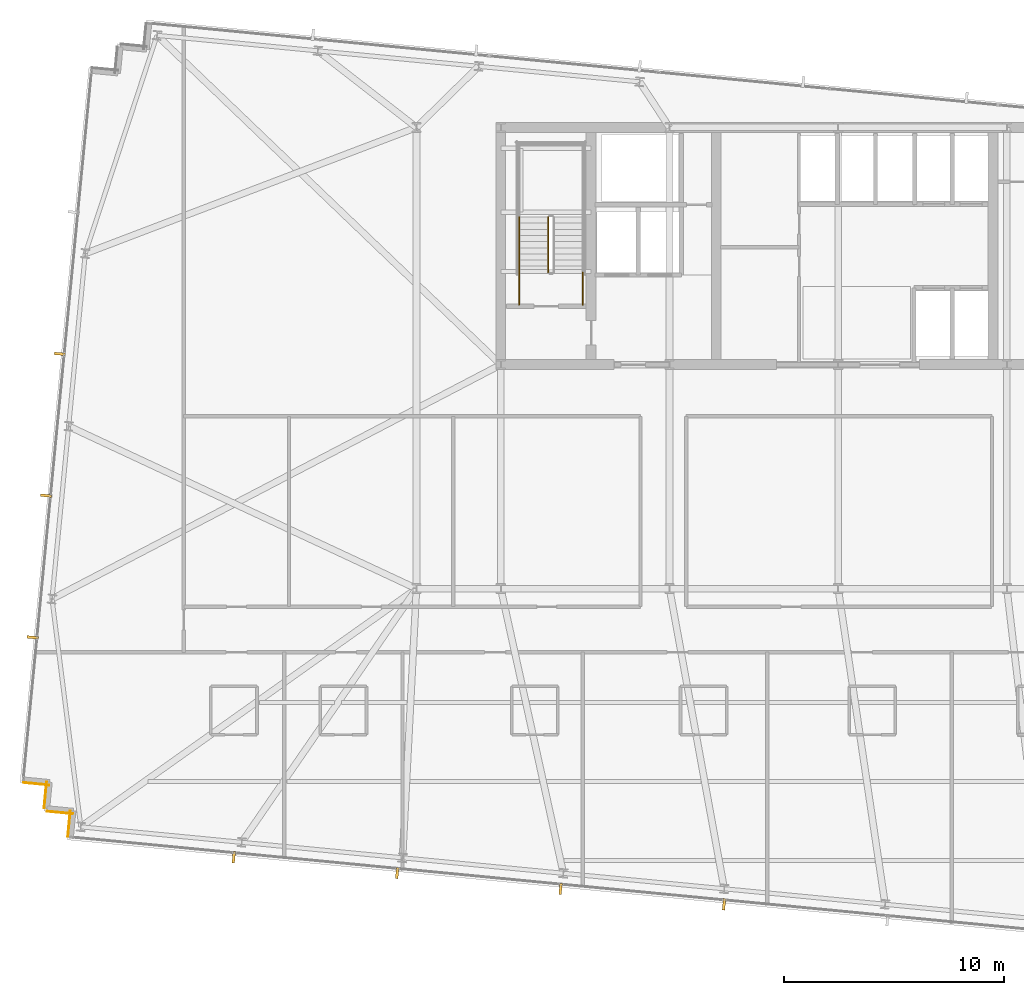
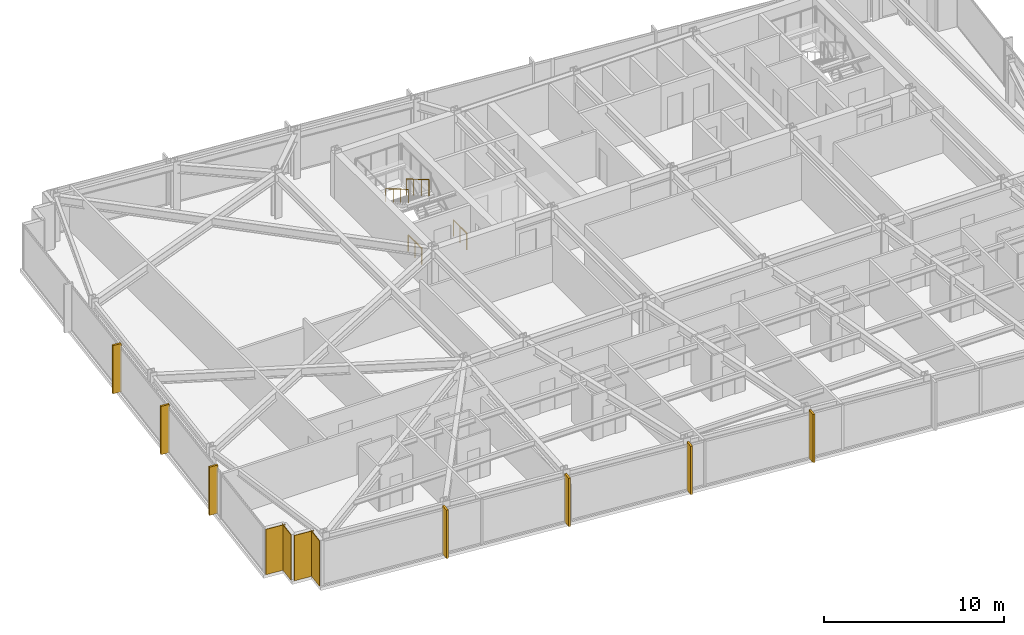
# One storey, part 32 of 37: 7 shading devices, 4 coverings, 4 railings.
"""IFC4 building model written with IfcOpenShell, lengths in metres."""

from ifc_helpers import new_model, si_unit, direction, frame, frame_2d, origin, origin_2d, place, context, subcontext, project, spatial, rectangle, circle, extrude, material, layer, layer_set, type_object, element, save


model = new_model("IFC4")

# Units and contexts
model_context = context("Model", 3, precision=1e-05, world=origin(), true_north=direction((0.0, 1.0)))
body_context = subcontext(model_context, "Body", "Model", "MODEL_VIEW")
ifc_project = project(units=[si_unit("LENGTHUNIT", "METRE"), si_unit("AREAUNIT", "SQUARE_METRE"), si_unit("VOLUMEUNIT", "CUBIC_METRE"), si_unit("PLANEANGLEUNIT", "RADIAN"), si_unit("MASSUNIT", "GRAM", prefix="KILO")], contexts=[model_context])

# Site, building, storey
site_placement = place(None, origin())
site = spatial("IfcSite", under=ifc_project, at=site_placement, CompositionType="ELEMENT")
building_placement = place(site_placement, origin())
building = spatial("IfcBuilding", under=site, at=building_placement, Name="Yelkora Congress Tower", CompositionType="ELEMENT")
storey_placement = place(building_placement, frame((0.0, 0.0, 165.5)))
storey = spatial("IfcBuildingStorey", under=building, at=storey_placement, Name="L45", CompositionType="ELEMENT", Elevation=165.5)

# Coverings
ifc_material_1 = material(Name="Anatolian bush-hammered limestone", Category="masonry")
ifc_layer_1 = layer(ifc_material_1, 0.0400390625)
ifc_layer_set_1 = layer_set([ifc_layer_1], Name="Anatolian bush-hammered limestone")
covering_type = type_object("IfcCoveringType", Name="COV-CLAD-SPANDREL-40", PredefinedType="CLADDING", material=ifc_layer_set_1)
covering_1_placement = place(storey_placement, frame((3.327880859375, 13.90185546875, 0.0), z_axis=(0.0, 0.0, 1.0), x_axis=(0.095817067274, 0.995398960025, 0.0)))
element("IfcCovering", 1, at=covering_1_placement, inside=storey, type_object=covering_type, Name="L45 Anatolian Limestone Cladding EW-L45-SR01", PredefinedType="CLADDING", context=body_context, shape_type="SweptSolid", body=[
    extrude(rectangle(XDim=1.2001953125, YDim=0.0400390625, at=frame_2d((0.60009765625, 0.0))), origin(), (0.0, 0.0, 1.0), 3.080078125),
])
covering_2_placement = place(storey_placement, frame((3.564208984375, 14.94921875, 0.0), z_axis=(0.0, 0.0, 1.0), x_axis=(-0.995397091755, 0.095836473879, 0.0)))
element("IfcCovering", 2, at=covering_2_placement, inside=storey, type_object=covering_type, Name="L45 Anatolian Limestone Cladding EW-L45-SR02", PredefinedType="CLADDING", context=body_context, shape_type="SweptSolid", body=[
    extrude(rectangle(XDim=1.199951171875, YDim=0.0400390625, at=frame_2d((0.60009765625, 0.0))), origin(), (0.0, 0.0, 1.0), 3.080078125),
])
for number, where, z_axis, x_axis, name in (
    (3, (2.248291015625, 15.21142578125, 0.0), (0.0, 0.0, 1.0), (0.095817067274, 0.995398960025, 0.0), "L45 Anatolian Limestone Cladding EW-L45-SR03"),
    (4, (2.48486328125, 16.258544921875, 0.0), (0.0, 0.0, 1.0), (-0.995398960025, 0.095817067274, 0.0), "L45 Anatolian Limestone Cladding EW-L45-SR04"),
):
    element("IfcCovering", number, at=place(storey_placement, frame(where, z_axis=z_axis, x_axis=x_axis)), inside=storey, type_object=covering_type, Name=name, PredefinedType="CLADDING", context=body_context, shape_type="SweptSolid", body=[
        extrude(rectangle(XDim=1.2001953125, YDim=0.0400390625, at=frame_2d((0.60009765625, 0.0))), origin(), (0.0, 0.0, 1.0), 3.080078125),
    ])

# Railings
ifc_material_2 = material(Name="Painted galvanised steel stair well guard with vertical infill", Category="steel")
ifc_layer_2 = layer(ifc_material_2, 0.06005859375)
ifc_layer_set_2 = layer_set([ifc_layer_2], Name="Painted galvanised steel stair well guard with vertical infill")
railing_type_1 = type_object("IfcRailingType", Name="RAIL-STAIR-GUARD-1120", PredefinedType="GUARDRAIL", material=ifc_layer_set_2)
railing_1_placement = place(storey_placement, frame((25.18994140625, 42.1201171875, 1.81494140625)))
element("IfcRailing", 5, at=railing_1_placement, inside=storey, type_object=railing_type_1, Name="ST-01 L45 Stair Well Guardrail 6", PredefinedType="GUARDRAIL", context=body_context, shape_type="SweptSolid", body=[
    extrude(circle(Radius=0.02392578125, at=origin_2d()), frame((0.0, 0.0, 1.09619140625), z_axis=(0.0, -0.86152411907, 0.507716645641), x_axis=(1.0, 0.0, 0.0)), (0.0, 0.0, 1.0), 2.925048828125),
    extrude(circle(Radius=0.02099609375, at=origin_2d()), origin(), (0.0, 0.0, 1.0), 1.072021484375),
    extrude(circle(Radius=0.02099609375, at=origin_2d()), frame((0.0, -0.840087890625, 0.4951171875)), (0.0, 0.0, 1.0), 1.072021484375),
    extrude(circle(Radius=0.02099609375, at=origin_2d()), frame((0.0, -1.679931640625, 0.989990234375)), (0.0, 0.0, 1.0), 1.072021484375),
    extrude(circle(Radius=0.02099609375, at=origin_2d()), frame((0.0, -2.52001953125, 1.485107421875)), (0.0, 0.0, 1.0), 1.072021484375),
])
for number, where, name in (
    (6, (26.77001953125, 38.1201171875, 0.0), "ST-01 L45 Stair Well Guardrail 8"),
    (7, (23.8701171875, 38.1201171875, 0.0), "ST-01 L45 Stair Well Guardrail 9"),
):
    element("IfcRailing", number, at=place(storey_placement, frame(where)), inside=storey, type_object=railing_type_1, Name=name, PredefinedType="GUARDRAIL", context=body_context, shape_type="SweptSolid", body=[
        extrude(circle(Radius=0.02392578125, at=origin_2d()), frame((0.0, 0.0, 1.09619140625), z_axis=(0.0, 1.0, 0.0), x_axis=(-1.0, 0.0, 0.0)), (0.0, 0.0, 1.0), 1.47998046875),
        extrude(circle(Radius=0.02099609375, at=origin_2d()), origin(), (0.0, 0.0, 1.0), 1.072021484375),
        extrude(circle(Radius=0.02099609375, at=origin_2d()), frame((0.0, 0.739990234375, 0.0)), (0.0, 0.0, 1.0), 1.072021484375),
        extrude(circle(Radius=0.02099609375, at=origin_2d()), frame((0.0, 1.47998046875, 0.0)), (0.0, 0.0, 1.0), 1.072021484375),
    ])
ifc_material_3 = material(Name="Brushed stainless steel tubular handrail", Category="steel")
ifc_layer_3 = layer(ifc_material_3, 0.050048828125)
ifc_layer_set_3 = layer_set([ifc_layer_3], Name="Brushed stainless steel tubular handrail")
railing_type_2 = type_object("IfcRailingType", Name="RAIL-STAIR-HAND-920", PredefinedType="HANDRAIL", material=ifc_layer_set_3)
railing_2_placement = place(storey_placement, frame((23.8701171875, 42.1201171875, 1.81494140625)))
element("IfcRailing", 8, at=railing_2_placement, inside=storey, type_object=railing_type_2, Name="ST-01 L45 Pitch Handrail 2", PredefinedType="HANDRAIL", context=body_context, shape_type="SweptSolid", body=[
    extrude(circle(Radius=0.02392578125, at=origin_2d()), frame((0.0, 0.0, 0.89599609375), z_axis=(0.0, -0.86152411907, 0.507716645641), x_axis=(1.0, 0.0, 0.0)), (0.0, 0.0, 1.0), 2.925048828125),
    extrude(circle(Radius=0.02099609375, at=origin_2d()), origin(), (0.0, 0.0, 1.0), 0.871826171875),
    extrude(circle(Radius=0.02099609375, at=origin_2d()), frame((0.0, -0.840087890625, 0.4951171875)), (0.0, 0.0, 1.0), 0.871826171875),
    extrude(circle(Radius=0.02099609375, at=origin_2d()), frame((0.0, -1.679931640625, 0.989990234375)), (0.0, 0.0, 1.0), 0.871826171875),
    extrude(circle(Radius=0.02099609375, at=origin_2d()), frame((0.0, -2.52001953125, 1.485107421875)), (0.0, 0.0, 1.0), 0.871826171875),
])

# Shading devices
ifc_material_4 = material(Name="Champagne anodised aluminium", Category="aluminium")
ifc_layer_4 = layer(ifc_material_4, 3.300048828125)
ifc_layer_set_4 = layer_set([ifc_layer_4], Name="Champagne anodised aluminium")
shading_device_type = type_object("IfcShadingDeviceType", Name="SHD-FIN-ALU-520", PredefinedType="USERDEFINED", material=ifc_layer_set_4)
for number, where, z_axis, x_axis, name in (
    (9, (1.7255859375, 22.981201171875, -0.02978515625), (0.0, 0.0, 1.0), (0.09584575252, 0.995396198367, 0.0), "L45 Vertical Anodised Solar Fin 5-1"),
    (10, (2.34716796875, 29.435302734375, -0.02978515625), (0.0, 0.0, 1.0), (0.09584575252, 0.995396198367, 0.0), "L45 Vertical Anodised Solar Fin 5-2"),
    (11, (2.968505859375, 35.889404296875, -0.02978515625), (0.0, 0.0, 1.0), (0.09584575252, 0.995396198367, 0.0), "L45 Vertical Anodised Solar Fin 5-3"),
    (12, (33.202392578125, 10.82421875, -0.02978515625), (0.0, 0.0, 1.0), (-0.995396198367, 0.09584575252, 0.0), "L45 Vertical Anodised Solar Fin 20-3"),
    (13, (25.7626953125, 11.540771484375, -0.02978515625), (0.0, 0.0, 1.0), (-0.995396198367, 0.09584575252, 0.0), "L45 Vertical Anodised Solar Fin 20-4"),
    (14, (18.32275390625, 12.257080078125, -0.02978515625), (0.0, 0.0, 1.0), (-0.995396198367, 0.09584575252, 0.0), "L45 Vertical Anodised Solar Fin 20-5"),
    (15, (10.8828125, 12.973388671875, -0.02978515625), (0.0, 0.0, 1.0), (-0.995396198367, 0.09584575252, 0.0), "L45 Vertical Anodised Solar Fin 20-6"),
):
    element("IfcShadingDevice", number, at=place(storey_placement, frame(where, z_axis=z_axis, x_axis=x_axis)), inside=storey, type_object=shading_device_type, Name=name, ObjectType="FIN", PredefinedType="USERDEFINED", context=body_context, shape_type="SweptSolid", body=[
        extrude(rectangle(XDim=0.1201171875, YDim=0.52001953125, at=origin_2d()), origin(), (0.0, 0.0, 1.0), 3.280029296875),
    ])

save(model, "model.ifc")
